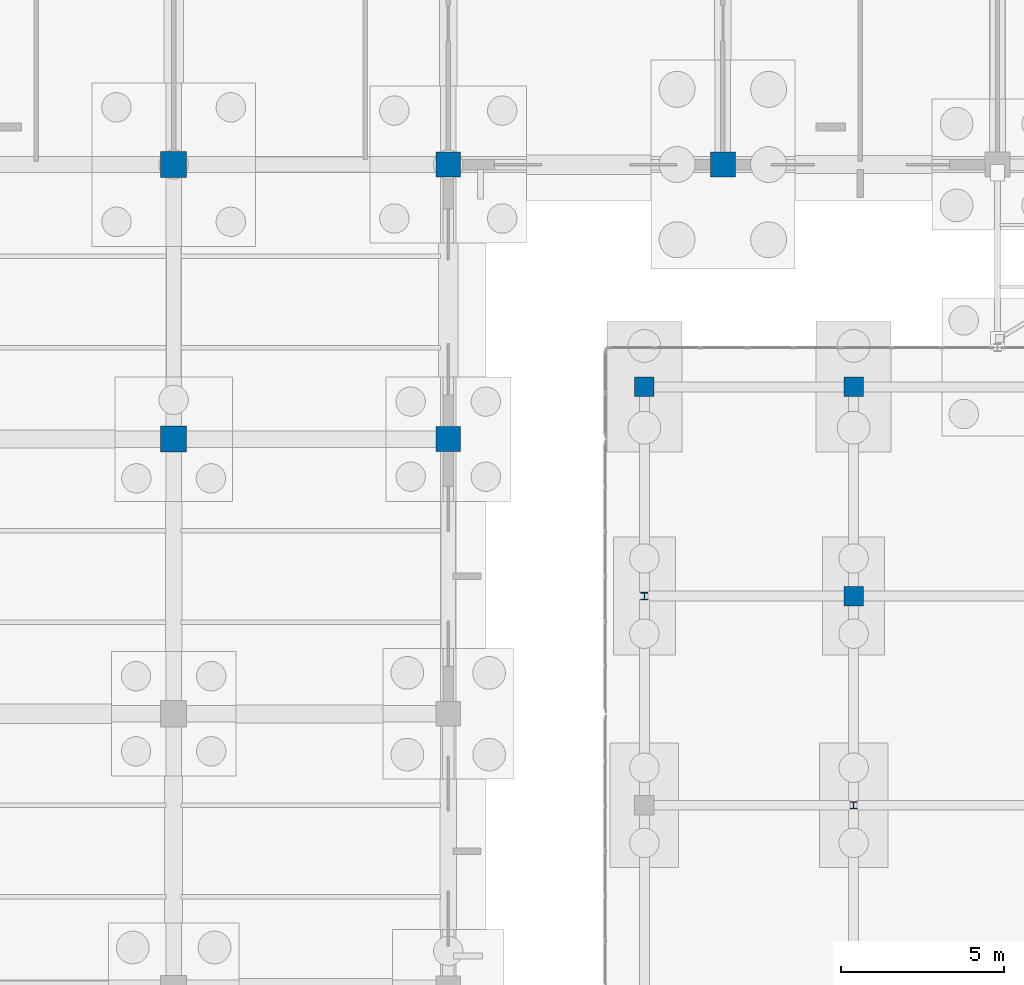
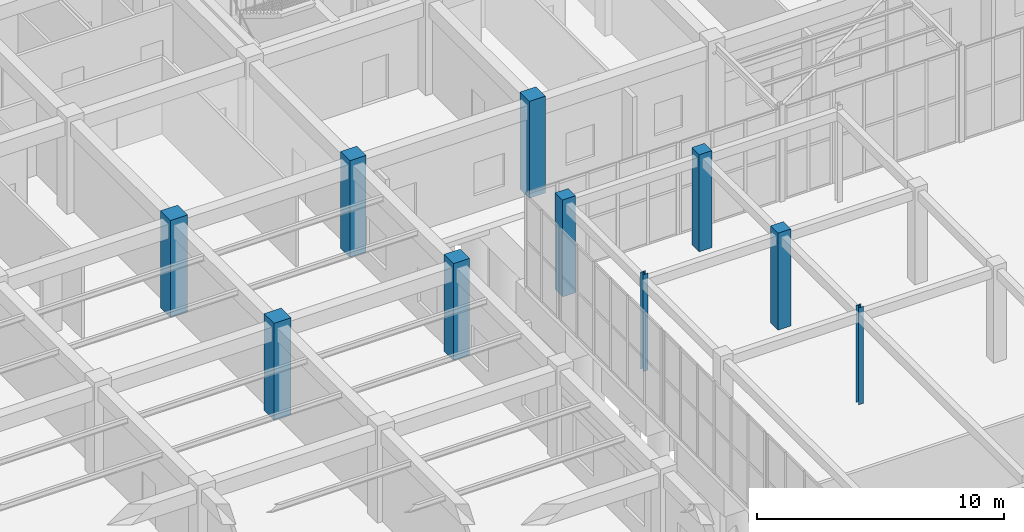
# One storey, part 31 of 192: 10 columns.
"""IFC4 building model written with IfcOpenShell, lengths in metres."""

from ifc_helpers import new_model, si_unit, direction, frame, origin, origin_2d, place, context, subcontext, project, spatial, rectangle, i_section, extrude, material, material_profile, profile_set, type_object, element, save


model = new_model("IFC4")

# Units and contexts
model_context = context("Model", 3, precision=1e-05, world=origin(), true_north=direction((0.0, 1.0)))
body_context = subcontext(model_context, "Body", "Model", "MODEL_VIEW")
ifc_project = project(units=[si_unit("LENGTHUNIT", "METRE"), si_unit("AREAUNIT", "SQUARE_METRE"), si_unit("VOLUMEUNIT", "CUBIC_METRE"), si_unit("PLANEANGLEUNIT", "RADIAN"), si_unit("MASSUNIT", "GRAM", prefix="KILO")], contexts=[model_context])

# Site, building, storey
site_placement = place(None, origin())
site = spatial("IfcSite", under=ifc_project, at=site_placement, CompositionType="ELEMENT")
building_placement = place(site_placement, origin())
building = spatial("IfcBuilding", under=site, at=building_placement, Name="Trelvath General Hospital", CompositionType="ELEMENT")
storey_placement = place(building_placement, origin())
storey = spatial("IfcBuildingStorey", under=building, at=storey_placement, Name="L00", CompositionType="ELEMENT", Elevation=0.0)

# Columns
ifc_material_1 = material(Name="Concrete C40/50", Category="concrete")
ifc_material_profile_1 = material_profile(ifc_material_1, rectangle(XDim=0.60009765625, YDim=0.60009765625, at=origin_2d()), Name="RC600x600")
ifc_profile_set_1 = profile_set([ifc_material_profile_1], Name="Concrete C40/50")
column_type_1 = type_object("IfcColumnType", Name="Column RC600", PredefinedType="COLUMN", material=ifc_profile_set_1)
for number, where, z_axis, x_axis, name in (
    (1, (48.0, 85.60009765625, 0.0), (0.0, 0.0, 1.0), (1.0, 0.0, 0.0), "Cube Interior Column CC-W28 L00"),
    (2, (54.39990234375, 79.199951171875, 0.0), (0.0, 0.0, 1.0), (1.0, 0.0, 0.0), "Cube Interior Column CC-W34 L00"),
    (3, (54.39990234375, 85.60009765625, 0.0), (0.0, 0.0, 1.0), (1.0, 0.0, 0.0), "Cube Interior Column CC-W35 L00"),
):
    element("IfcColumn", number, at=place(storey_placement, frame(where, z_axis=z_axis, x_axis=x_axis)), inside=storey, type_object=column_type_1, Name=name, PredefinedType="COLUMN", context=body_context, shape_type="SweptSolid", body=[
        extrude(rectangle(XDim=0.60009765625, YDim=0.60009765625, at=origin_2d()), origin(), (0.0, 0.0, 1.0), 4.800048828125),
    ])
ifc_material_2 = material(Name="Concrete C40/50", Category="concrete")
ifc_material_profile_2 = material_profile(ifc_material_2, rectangle(XDim=0.760009765625, YDim=0.760009765625, at=origin_2d()), Name="RC760x760")
ifc_profile_set_2 = profile_set([ifc_material_profile_2], Name="Concrete C40/50")
column_type_2 = type_object("IfcColumnType", Name="Column RC760", PredefinedType="COLUMN", material=ifc_profile_set_2)
for number, where, z_axis, x_axis, name in (
    (4, (42.0, 84.0, 0.0), (0.0, 0.0, 1.0), (1.0, 0.0, 0.0), "Column C-6K L00"),
    (5, (42.0, 92.39990234375, 0.0), (0.0, 0.0, 1.0), (1.0, 0.0, 0.0), "Column C-6L L00"),
    (6, (50.39990234375, 92.39990234375, 0.0), (0.0, 0.0, 1.0), (1.0, 0.0, 0.0), "Column C-7L L00"),
):
    element("IfcColumn", number, at=place(storey_placement, frame(where, z_axis=z_axis, x_axis=x_axis)), inside=storey, type_object=column_type_2, Name=name, PredefinedType="COLUMN", context=body_context, shape_type="SweptSolid", body=[
        extrude(rectangle(XDim=0.760009765625, YDim=0.760009765625, at=origin_2d()), origin(), (0.0, 0.0, 1.0), 4.800048828125),
    ])
ifc_material_3 = material(Name="Concrete C40/50", Category="concrete")
ifc_material_profile_3 = material_profile(ifc_material_3, rectangle(XDim=0.800048828125, YDim=0.800048828125, at=origin_2d()), Name="RC800x800")
ifc_profile_set_3 = profile_set([ifc_material_profile_3], Name="Concrete C40/50")
column_type_3 = type_object("IfcColumnType", Name="Column RC800", PredefinedType="COLUMN", material=ifc_profile_set_3)
for number, where, z_axis, x_axis, name in (
    (7, (33.60009765625, 84.0, 0.0), (0.0, 0.0, 1.0), (1.0, 0.0, 0.0), "Column C-5K L00"),
    (8, (33.60009765625, 92.39990234375, 0.0), (0.0, 0.0, 1.0), (1.0, 0.0, 0.0), "Column C-5L L00"),
):
    element("IfcColumn", number, at=place(storey_placement, frame(where, z_axis=z_axis, x_axis=x_axis)), inside=storey, type_object=column_type_3, Name=name, PredefinedType="COLUMN", context=body_context, shape_type="SweptSolid", body=[
        extrude(rectangle(XDim=0.800048828125, YDim=0.800048828125, at=origin_2d()), origin(), (0.0, 0.0, 1.0), 4.800048828125),
    ])
ifc_material_4 = material(Name="Steel S355", Category="steel")
ifc_material_profile_4 = material_profile(ifc_material_4, i_section(OverallWidth=0.219970703125, OverallDepth=0.219970703125, WebThickness=0.009521484375, FlangeThickness=0.01611328125, at=origin_2d()), Name="HEB220")
ifc_profile_set_4 = profile_set([ifc_material_profile_4], Name="Steel S355")
column_type_4 = type_object("IfcColumnType", Name="CubePost HEB220", PredefinedType="COLUMN", material=ifc_profile_set_4)
for number, where, z_axis, x_axis, name in (
    (9, (48.0, 79.199951171875, 0.0), (0.0, 0.0, 1.0), (1.0, 0.0, 0.0), "Cube Interior Column CC-W27 L00"),
    (10, (54.39990234375, 72.800048828125, 0.0), (0.0, 0.0, 1.0), (1.0, 0.0, 0.0), "Cube Interior Column CC-W33 L00"),
):
    element("IfcColumn", number, at=place(storey_placement, frame(where, z_axis=z_axis, x_axis=x_axis)), inside=storey, type_object=column_type_4, Name=name, PredefinedType="COLUMN", context=body_context, shape_type="SweptSolid", body=[
        extrude(i_section(OverallWidth=0.219970703125, OverallDepth=0.219970703125, WebThickness=0.009521484375, FlangeThickness=0.01611328125, at=origin_2d()), origin(), (0.0, 0.0, 1.0), 4.800048828125),
    ])

save(model, "model.ifc")
